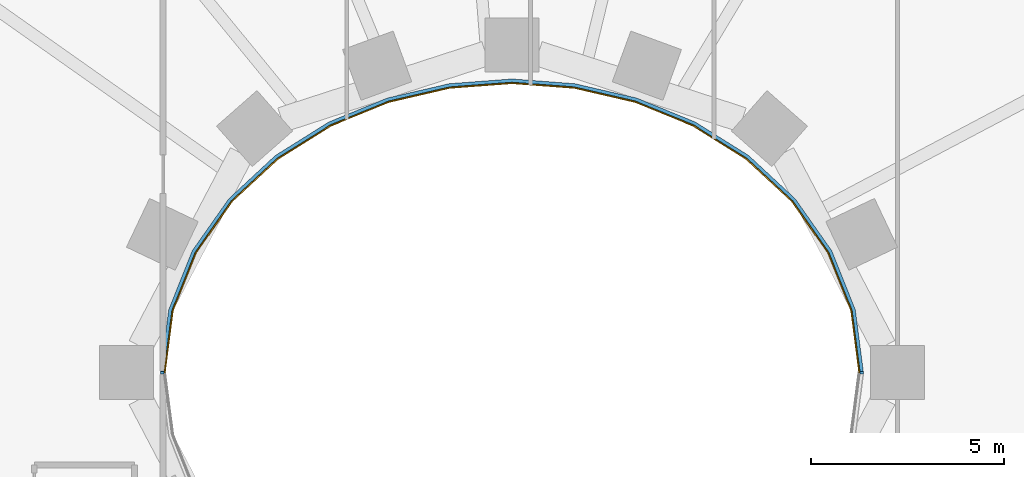
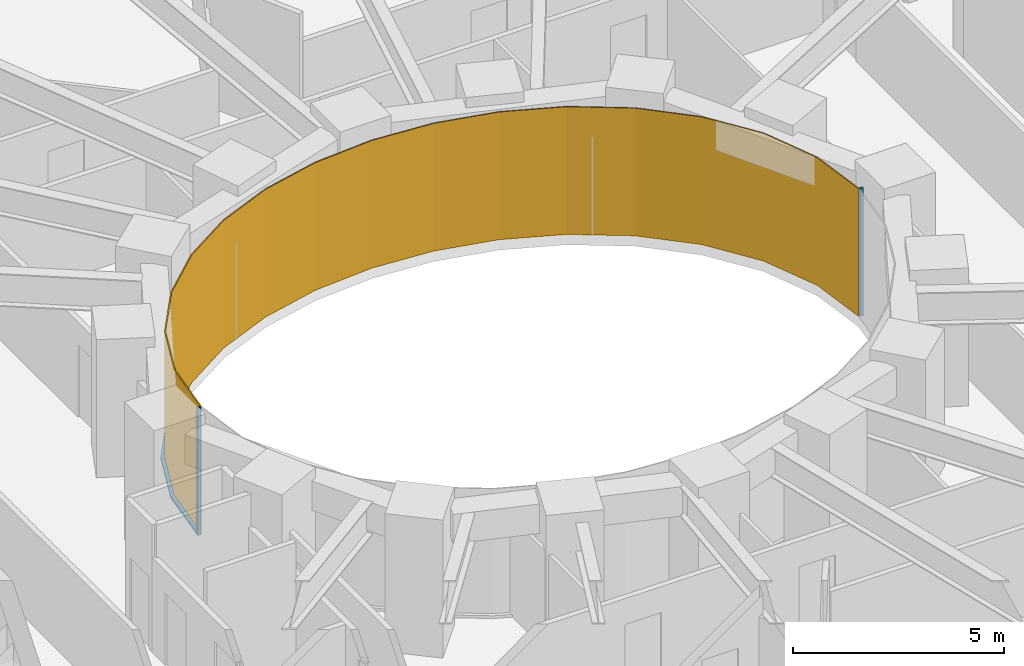
# One storey, part 12 of 16: 3 members, 1 curtain wall.
"""IFC4 building model written with IfcOpenShell, lengths in metres."""

import ifcopenshell
import ifcopenshell.guid

model = None  # the IFC model being written
_history = None  # IfcOwnerHistory: only IFC2X3 demands one
_inside = {}  # id of a spatial element -> (the spatial element, [elements in it])
_under = {}  # id of a project, library or spatial element -> (it, [spatial elements below it])
_declared = {}  # id of a project -> (the project, [libraries it declares])
_typed = {}  # id of a type object -> (the type object, [elements of that type])
_made_of = {}  # id of a material, layer set ... -> (it, [elements and type objects made of it])


def new_model(schema):
    """Start an empty IFC model of exactly this schema.

    Asked for "IFC4X3", IfcOpenShell would pick the latest addendum, in which some entities
    have other attributes; the version numbers below select the first issue.
    IFC2X3 requires an IfcOwnerHistory on every rooted entity: one is made here for all.
    """
    global model, _history
    if schema == "IFC4X3":
        model = ifcopenshell.file(schema_version=(4, 3, 0, 0))
    else:
        model = ifcopenshell.file(schema=schema)
    _inside.clear()
    _under.clear()
    _declared.clear()
    _typed.clear()
    _made_of.clear()
    _history = None
    if model.schema == "IFC2X3":
        org = make("IfcOrganization", Name="unknown")
        user = make(
            "IfcPersonAndOrganization",
            ThePerson=make("IfcPerson", FamilyName="unknown"),
            TheOrganization=org,
        )
        app = make(
            "IfcApplication",
            ApplicationDeveloper=org,
            Version="unknown",
            ApplicationFullName="unknown",
            ApplicationIdentifier="unknown",
        )
        _history = make(
            "IfcOwnerHistory",
            OwningUser=user,
            OwningApplication=app,
            ChangeAction="ADDED",
            CreationDate=0,
        )
    return model


def make(cls, **values):
    """One entity of the class cls with the attributes given. An attribute that is None is left unset."""
    return model.create_entity(
        cls, **{name: value for name, value in values.items() if value is not None}
    )


def rooted(cls, **values):
    """An entity with a GlobalId (a new one), such as an element, a storey or a relation."""
    return make(cls, GlobalId=ifcopenshell.guid.new(), OwnerHistory=_history, **values)


def si_unit(unit_type, name, prefix=None):
    """IfcSIUnit, for example si_unit("LENGTHUNIT", "METRE", prefix="MILLI")."""
    return make("IfcSIUnit", UnitType=unit_type, Prefix=prefix, Name=name)


def assignment(units):
    """IfcUnitAssignment: the units of a project."""
    return None if units is None else make("IfcUnitAssignment", Units=units)


def point(xyz):
    """IfcCartesianPoint."""
    return None if xyz is None else make("IfcCartesianPoint", Coordinates=xyz)


def direction(xyz):
    """IfcDirection."""
    return None if xyz is None else make("IfcDirection", DirectionRatios=xyz)


def frame(location, z_axis=None, x_axis=None):
    """IfcAxis2Placement3D, a coordinate frame: its origin and axes. An axis left out is left unset."""
    return make(
        "IfcAxis2Placement3D",
        Location=point(location),
        Axis=direction(z_axis),
        RefDirection=direction(x_axis),
    )


def frame_2d(location, x_axis=None):
    """IfcAxis2Placement2D, a coordinate frame in the plane: its origin and x axis."""
    return make(
        "IfcAxis2Placement2D", Location=point(location), RefDirection=direction(x_axis)
    )


def origin():
    """The frame at (0, 0, 0) with its axes left unset."""
    return frame((0.0, 0.0, 0.0))


def origin_2d():
    """The frame at (0, 0) in the plane with its x axis left unset."""
    return frame_2d((0.0, 0.0))


def place(relative_to, where):
    """IfcLocalPlacement: puts the frame where relative to a parent placement (None: the world)."""
    return make(
        "IfcLocalPlacement", PlacementRelTo=relative_to, RelativePlacement=where
    )


def context(
    kind, dimensions, precision=None, world=None, true_north=None, identifier=None
):
    """IfcGeometricRepresentationContext, for example the 3D "Model" context."""
    return make(
        "IfcGeometricRepresentationContext",
        ContextIdentifier=identifier,
        ContextType=kind,
        CoordinateSpaceDimension=dimensions,
        Precision=precision,
        WorldCoordinateSystem=world,
        TrueNorth=true_north,
    )


def subcontext(parent, identifier, kind, view, scale=None):
    """IfcGeometricRepresentationSubContext, for example "Body" below "Model"."""
    return make(
        "IfcGeometricRepresentationSubContext",
        ContextIdentifier=identifier,
        ContextType=kind,
        ParentContext=parent,
        TargetScale=scale,
        TargetView=view,
    )


def project(units=None, contexts=None):
    """IfcProject with its units and contexts."""
    return rooted(
        "IfcProject",
        Name="project",
        RepresentationContexts=contexts,
        UnitsInContext=assignment(units),
    )


def spatial(cls, under=None, at=None, **own):
    """A site, building, storey or space (cls), placed at a placement, below another one or the project."""
    s = rooted(cls, ObjectPlacement=at, **own)
    if under is not None:
        _under.setdefault(under.id(), (under, []))[1].append(s)
    return s


def polyline(points):
    """IfcPolyline through the points."""
    return make("IfcPolyline", Points=[point(p) for p in points])


def profile(cls, at=None, kind="AREA", **sizes):
    """A parametric profile (cls). Its sizes go by their IFC names, for example OverallWidth=200.0."""
    return make(cls, ProfileType=kind, Position=at, **sizes)


def rectangle(**sizes):
    """IfcRectangleProfileDef."""
    return profile("IfcRectangleProfileDef", **sizes)


def outline(outer, holes=None, kind="AREA"):
    """IfcArbitraryClosedProfileDef: a profile drawn as a closed curve; with holes, ...WithVoids."""
    if holes is None:
        return make("IfcArbitraryClosedProfileDef", ProfileType=kind, OuterCurve=outer)
    return make(
        "IfcArbitraryProfileDefWithVoids",
        ProfileType=kind,
        OuterCurve=outer,
        InnerCurves=holes,
    )


def extrude(swept, where, along, depth):
    """IfcExtrudedAreaSolid: the profile swept, set in the frame where, extruded along a direction by depth."""
    return make(
        "IfcExtrudedAreaSolid",
        SweptArea=swept,
        Position=where,
        ExtrudedDirection=direction(along),
        Depth=depth,
    )


def shape(context_of_items, identifier, shape_type, items):
    """IfcShapeRepresentation: the items that make up one representation, for example the "Body"."""
    return make(
        "IfcShapeRepresentation",
        ContextOfItems=context_of_items,
        RepresentationIdentifier=identifier,
        RepresentationType=shape_type,
        Items=items,
    )


def material(Name=None, Category=None):
    """IfcMaterial."""
    return make("IfcMaterial", Name=Name, Category=Category)


def layer(
    of_material, thickness, ventilated=None, Name=None, Category=None, Priority=None
):
    """IfcMaterialLayer: one layer of a wall or slab, of a material (None: an air gap)."""
    return make(
        "IfcMaterialLayer",
        Material=of_material,
        LayerThickness=thickness,
        IsVentilated=ventilated,
        Name=Name,
        Category=Category,
        Priority=Priority,
    )


def layer_set(layers, Name=None):
    """IfcMaterialLayerSet."""
    return make("IfcMaterialLayerSet", MaterialLayers=layers, LayerSetName=Name)


def material_profile(
    of_material, cross_section, Name=None, Category=None, Priority=None
):
    """IfcMaterialProfile: a cross section and its material."""
    return make(
        "IfcMaterialProfile",
        Name=Name,
        Material=of_material,
        Profile=cross_section,
        Priority=Priority,
        Category=Category,
    )


def profile_set(profiles, Name=None, composite=None):
    """IfcMaterialProfileSet."""
    return make(
        "IfcMaterialProfileSet",
        Name=Name,
        MaterialProfiles=profiles,
        CompositeProfile=composite,
    )


def made_of(thing, what):
    """Note that an element or type object is made of a material, layer set ...; save() writes the relation."""
    if what is not None:
        _made_of.setdefault(what.id(), (what, []))[1].append(thing)
    return thing


def type_object(cls, material=None, **own):
    """A type object (cls), such as IfcWallType, which elements share."""
    return made_of(rooted(cls, **own), material)


def element(
    cls,
    number,
    at=None,
    inside=None,
    cuts=None,
    type_object=None,
    material=None,
    context=None,
    identifier="Body",
    shape_type=None,
    held_by="IfcProductDefinitionShape",
    body=None,
    shapes=None,
    **own,
):
    """One element of the class cls, such as IfcWall. Its Tag is "e" and its number.

    at: its placement. inside: the storey or other place that contains it. cuts: it is an
    opening in that element (IfcRelVoidsElement). A single representation is given by context,
    identifier, shape_type and body (its items); several are given by shapes. held_by: the class
    of the entity that holds the representations. save() writes the other relations.
    """
    e = rooted(cls, Tag="e%d" % number, ObjectPlacement=at, **own)
    if body is not None:
        shapes = [shape(context, identifier, shape_type, body)]
    if shapes is not None:
        e.Representation = make(held_by, Representations=shapes)
    if inside is not None:
        _inside.setdefault(inside.id(), (inside, []))[1].append(e)
    if cuts is not None:
        rooted(
            "IfcRelVoidsElement", RelatingBuildingElement=cuts, RelatedOpeningElement=e
        )
    if type_object is not None:
        _typed.setdefault(type_object.id(), (type_object, []))[1].append(e)
    return made_of(e, material)


def aggregate(whole, parts):
    """IfcRelAggregates: a whole, such as a stair, and the parts it consists of."""
    return rooted("IfcRelAggregates", RelatingObject=whole, RelatedObjects=parts)


def save(model, path):
    """Write the relations noted so far, then the file.

    IfcRelAggregates (storeys below a building ...), IfcRelContainedInSpatialStructure (elements
    in a storey), IfcRelDefinesByType, IfcRelAssociatesMaterial and IfcRelDeclares: one each for
    every whole, place, type object, material and project.
    """
    for whole, parts in _under.values():
        aggregate(whole, parts)
    for where, things in _inside.values():
        rooted(
            "IfcRelContainedInSpatialStructure",
            RelatedElements=things,
            RelatingStructure=where,
        )
    for kind, things in _typed.values():
        rooted("IfcRelDefinesByType", RelatedObjects=things, RelatingType=kind)
    for what, things in _made_of.values():
        rooted("IfcRelAssociatesMaterial", RelatedObjects=things, RelatingMaterial=what)
    for by, libraries in _declared.values():
        rooted("IfcRelDeclares", RelatingContext=by, RelatedDefinitions=libraries)
    model.write(path)


model = new_model("IFC4")

# Units and contexts
model_context = context("Model", 3, precision=1e-05, world=origin(), true_north=direction((0.0, 1.0)))
body_context = subcontext(model_context, "Body", "Model", "MODEL_VIEW")
ifc_project = project(units=[si_unit("LENGTHUNIT", "METRE"), si_unit("AREAUNIT", "SQUARE_METRE"), si_unit("VOLUMEUNIT", "CUBIC_METRE"), si_unit("PLANEANGLEUNIT", "RADIAN"), si_unit("MASSUNIT", "GRAM", prefix="KILO")], contexts=[model_context])

# Member
ifc_material_1 = material(Name="Steel S355 fire-resisting frame", Category="steel")
ifc_material_profile = material_profile(ifc_material_1, rectangle(XDim=0.090087890625, YDim=0.06005859375, at=origin_2d()), Name="90x60")
ifc_profile_set = profile_set([ifc_material_profile], Name="Steel S355 fire-resisting frame")
member_type_1 = type_object("IfcMemberType", Name="ENV-MULLION-W-90", PredefinedType="MULLION", material=ifc_profile_set)
site_placement = place(None, origin())
building_placement = place(site_placement, origin())
storey_placement = place(building_placement, frame((0.0, 0.0, 54.5)))
member_1_placement = place(storey_placement, frame((9.076904296875, 0.0, 0.0), z_axis=(0.0, 0.0, 1.0), x_axis=(1.0, 0.0, 0.0)))
member_1 = element("IfcMember", 1, at=member_1_placement, type_object=member_type_1, Name="Mullion W well vertex 01", PredefinedType="MULLION", context=body_context, shape_type="SweptSolid", body=[
    extrude(rectangle(XDim=0.090087890625, YDim=0.06005859375, at=origin_2d()), origin(), (0.0, 0.0, 1.0), 3.699951171875),
])

member_2_placement = place(storey_placement, frame((-9.076904296875, 0.0, 0.0), z_axis=(0.0, 0.0, 1.0), x_axis=(-1.0, 0.0, 0.0)))
member_2 = element("IfcMember", 2, at=member_2_placement, type_object=member_type_1, Name="Mullion W well vertex 17", PredefinedType="MULLION", context=body_context, shape_type="SweptSolid", body=[
    extrude(rectangle(XDim=0.090087890625, YDim=0.06005859375, at=origin_2d()), origin(), (0.0, 0.0, 1.0), 3.699951171875),
])

ifc_material_2 = material(Name="Steel S355 fire-resisting frame", Category="steel")
member_type_2 = type_object("IfcMemberType", Name="ENV-TRANSOM-W", PredefinedType="USERDEFINED", material=ifc_material_2)
member_3_placement = place(storey_placement, origin())
member_3 = element("IfcMember", 3, at=member_3_placement, type_object=member_type_2, Name="Transom W well 01-17", ObjectType="TRANSOM", PredefinedType="USERDEFINED", context=body_context, shape_type="SweptSolid", body=[
    extrude(outline(polyline([(9.119384765625, 0.02783203125), (8.910400390625, 1.63623046875), (8.29833984375, 3.167236328125), (7.35107421875, 4.5146484375), (6.1455078125, 5.6337890625), (4.75341796875, 6.50634765625), (3.233642578125, 7.127685546875), (1.635498046875, 7.498779296875), (0.0, 7.622314453125), (-1.635498046875, 7.498779296875), (-3.233642578125, 7.127685546875), (-4.75341796875, 6.50634765625), (-6.1455078125, 5.6337890625), (-7.35107421875, 4.5146484375), (-8.29833984375, 3.167236328125), (-8.910400390625, 1.63623046875), (-9.119384765625, 0.02783203125), (-9.02880859375, 0.02783203125), (-8.822509765625, 1.61328125), (-8.21875, 3.124267578125), (-7.282958984375, 4.455078125), (-6.090576171875, 5.56201171875), (-4.712158203125, 6.426025390625), (-3.206298828125, 7.04150390625), (-1.621826171875, 7.40966796875), (0.0, 7.531982421875), (1.621826171875, 7.40966796875), (3.206298828125, 7.04150390625), (4.712158203125, 6.426025390625), (6.090576171875, 5.56201171875), (7.282958984375, 4.455078125), (8.21875, 3.124267578125), (8.822509765625, 1.61328125), (9.02880859375, 0.02783203125), (9.119384765625, 0.02783203125)])), origin(), (0.0, 0.0, 1.0), 0.080078125),
])

# Site, building, storey
site = spatial("IfcSite", under=ifc_project, at=site_placement, CompositionType="ELEMENT")
building = spatial("IfcBuilding", under=site, at=building_placement, Name="Noorbagh Ring Tower", CompositionType="ELEMENT")
storey = spatial("IfcBuildingStorey", under=building, at=storey_placement, Name="L11", CompositionType="ELEMENT", Elevation=54.5)

# Curtain wall
ifc_material_3 = material(Name="Glass fire-resisting E60 laminated", Category="glass")
ifc_layer = layer(ifc_material_3, 0.031982421875)
ifc_layer_set = layer_set([ifc_layer], Name="Glass fire-resisting E60 laminated")
curtain_wall_type = type_object("IfcCurtainWallType", Name="ENV-CW-W", PredefinedType="NOTDEFINED", material=ifc_layer_set)
curtain_wall_placement = place(storey_placement, origin())
curtain_wall = element("IfcCurtainWall", 4, at=curtain_wall_placement, inside=storey, type_object=curtain_wall_type, Name="Curtain wall W W01", PredefinedType="NOTDEFINED", context=body_context, shape_type="SweptSolid", body=[
    extrude(outline(polyline([(9.0322265625, 0.0), (8.822509765625, 1.61328125), (8.21875, 3.124267578125), (7.282958984375, 4.455078125), (6.090576171875, 5.56201171875), (4.712158203125, 6.426025390625), (3.206298828125, 7.04150390625), (1.621826171875, 7.40966796875), (0.0, 7.531982421875), (-1.621826171875, 7.40966796875), (-3.206298828125, 7.04150390625), (-4.712158203125, 6.426025390625), (-6.090576171875, 5.56201171875), (-7.282958984375, 4.455078125), (-8.21875, 3.124267578125), (-8.822509765625, 1.61328125), (-9.0322265625, 0.0), (-9.0, 0.0), (-8.79150390625, 1.605224609375), (-8.1904296875, 3.10888671875), (-7.2587890625, 4.43408203125), (-6.071044921875, 5.53662109375), (-4.697509765625, 6.3974609375), (-3.196533203125, 7.010986328125), (-1.6171875, 7.3779296875), (0.0, 7.5), (1.6171875, 7.3779296875), (3.196533203125, 7.010986328125), (4.697509765625, 6.3974609375), (6.071044921875, 5.53662109375), (7.2587890625, 4.43408203125), (8.1904296875, 3.10888671875), (8.79150390625, 1.605224609375), (9.0, 0.0), (9.0322265625, 0.0)])), origin(), (0.0, 0.0, 1.0), 3.699951171875),
])

aggregate(curtain_wall, [member_1, member_2, member_3])

save(model, "model.ifc")
